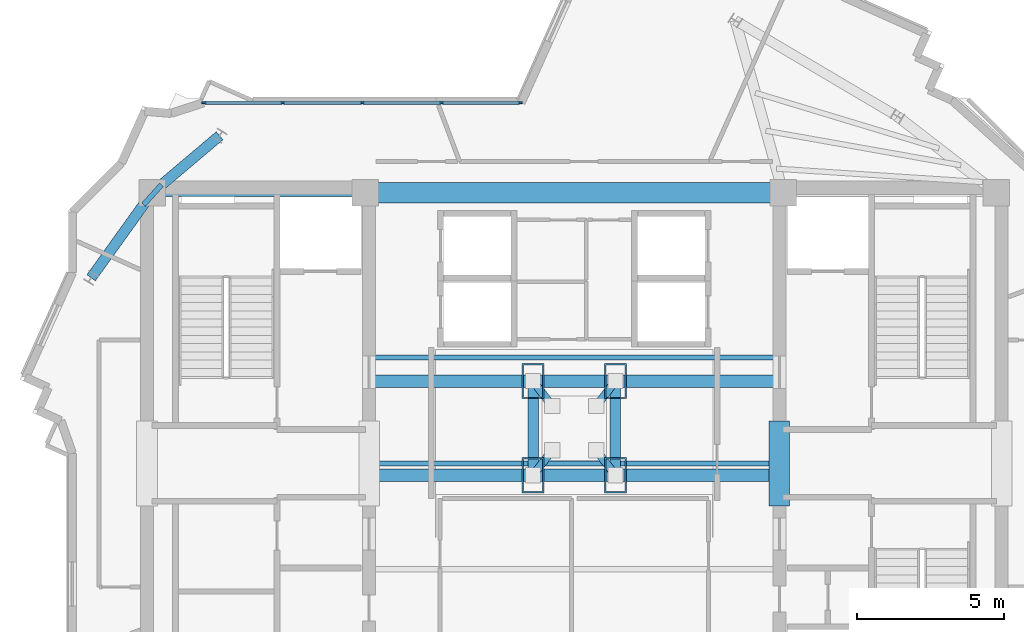
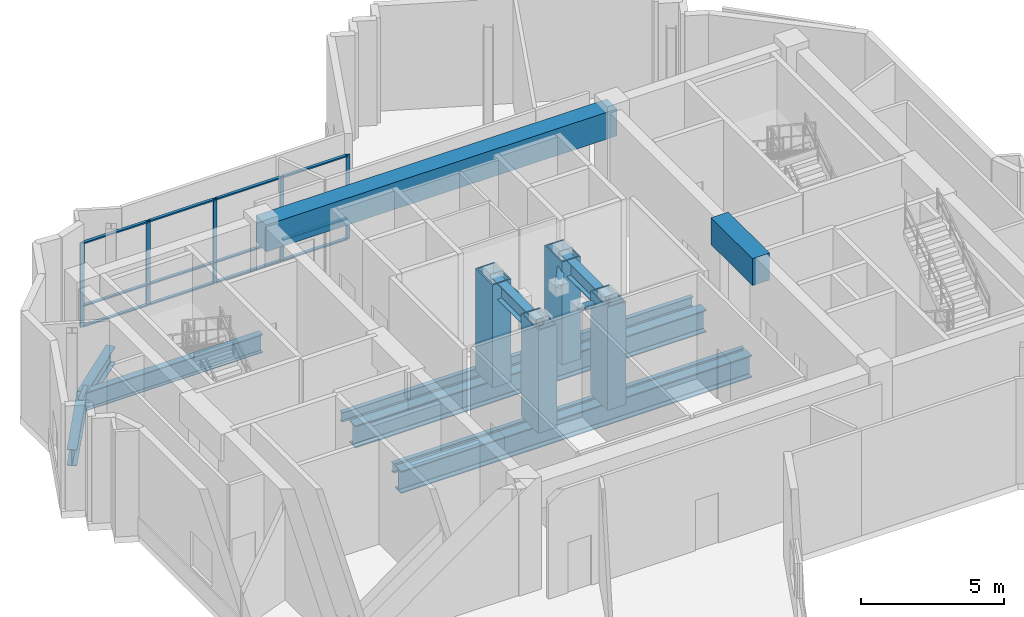
# One storey, part 3 of 11: 25 members, 12 beams, 1 element without a shape of its own.
"""IFC4 building model written with IfcOpenShell, lengths in metres."""

from ifc_helpers import new_model, si_unit, direction, frame, origin, origin_2d, place, context, subcontext, project, spatial, rectangle, hollow_rectangle, hollow_circle, i_section, extrude, source, transform, mapped, material, layer, layer_set, material_profile, profile_set, type_object, element, aggregate, save


model = new_model("IFC4")

# Units and contexts
model_context = context("Model", 3, precision=1e-05, world=origin(), true_north=direction((0.0, 1.0)))
body_context = subcontext(model_context, "Body", "Model", "MODEL_VIEW")
ifc_project = project(units=[si_unit("LENGTHUNIT", "METRE"), si_unit("AREAUNIT", "SQUARE_METRE"), si_unit("VOLUMEUNIT", "CUBIC_METRE"), si_unit("PLANEANGLEUNIT", "RADIAN"), si_unit("MASSUNIT", "GRAM", prefix="KILO")], contexts=[model_context])

# Site, building, storey
site_placement = place(None, origin())
site = spatial("IfcSite", under=ifc_project, at=site_placement, CompositionType="ELEMENT")
building_placement = place(site_placement, origin())
building = spatial("IfcBuilding", under=site, at=building_placement, Name="Zahravan Cultural Tower", CompositionType="ELEMENT")
storey_placement = place(building_placement, frame((0.0, 0.0, 361.050048828125)))
storey = spatial("IfcBuildingStorey", under=building, at=storey_placement, Name="L88", CompositionType="ELEMENT", Elevation=361.050048828125)

# Beams
ifc_material_1 = material(Name="Concrete C50/60", Category="concrete")
ifc_material_profile_1 = material_profile(ifc_material_1, rectangle(XDim=0.699951171875, YDim=1.14990234375, at=origin_2d()), Name="RC700X1150")
ifc_profile_set_1 = profile_set([ifc_material_profile_1], Name="Concrete C50/60")
beam_type_1 = type_object("IfcBeamType", Name="BM-LN-RC700X1150", PredefinedType="LINTEL", material=ifc_profile_set_1)
shared_shape_1 = source(origin(), body_context, "Body", "SweptSolid", [
    extrude(rectangle(XDim=0.699951171875, YDim=1.14990234375, at=origin_2d()), origin(), (0.0, 0.0, 1.0), 14.2001953125),
])
beam_1_placement = place(storey_placement, frame((28.89990234375, 36.199951171875, 3.925048828125), z_axis=(1.0, 0.0, 0.0), x_axis=(0.0, 1.0, 0.0)))
element("IfcBeam", 1, at=beam_1_placement, inside=storey, type_object=beam_type_1, Name="L88 Beam LN-L88-N", PredefinedType="LINTEL", context=body_context, shape_type="MappedRepresentation", body=[
    mapped(shared_shape_1, transform((0.0, 0.0, 0.0), x_axis=(1.0, 0.0, 0.0), y_axis=(0.0, 1.0, 0.0), z_axis=(0.0, 0.0, 1.0), scale=1.0)),
])
shared_shape_2 = source(origin(), body_context, "Body", "SweptSolid", [
    extrude(rectangle(XDim=0.699951171875, YDim=1.14990234375, at=origin_2d()), origin(), (0.0, 0.0, 1.0), 2.89990234375),
])
beam_2_placement = place(storey_placement, frame((42.97509765625, 25.550048828125, 3.925048828125), z_axis=(0.0, 1.0, 0.0), x_axis=(-1.0, 0.0, 0.0)))
element("IfcBeam", 2, at=beam_2_placement, inside=storey, type_object=beam_type_1, Name="L88 Beam LN-L88-PEW", PredefinedType="LINTEL", context=body_context, shape_type="MappedRepresentation", body=[
    mapped(shared_shape_2, transform((0.0, 0.0, 0.0), x_axis=(1.0, 0.0, 0.0), y_axis=(0.0, 1.0, 0.0), z_axis=(0.0, 0.0, 1.0), scale=1.0)),
])
ifc_material_2 = material(Name="Steel ASTM A992 Grade 50", Category="steel")
ifc_material_profile_2 = material_profile(ifc_material_2, i_section(OverallWidth=0.26611328125, OverallDepth=0.780029296875, WebThickness=0.0166015625, FlangeThickness=0.030029296875, FilletRadius=0.01904296875, at=origin_2d()), Name="W30X148")
ifc_profile_set_2 = profile_set([ifc_material_profile_2], Name="Steel ASTM A992 Grade 50")
beam_type_2 = type_object("IfcBeamType", Name="BM-G-W30X148", PredefinedType="BEAM", material=ifc_profile_set_2)
shared_shape_3 = source(origin(), body_context, "Body", "SweptSolid", [
    extrude(i_section(OverallWidth=0.26611328125, OverallDepth=0.780029296875, WebThickness=0.0166015625, FlangeThickness=0.030029296875, FilletRadius=0.01904296875, at=origin_2d()), origin(), (0.0, 0.0, 1.0), 7.25),
])
beam_3_placement = place(storey_placement, frame((21.64990234375, 36.199951171875, -0.68994140625), z_axis=(1.0, 0.0, 0.0), x_axis=(0.0, 1.0, 0.0)))
element("IfcBeam", 3, at=beam_3_placement, inside=storey, type_object=beam_type_2, Name="L88 Beam BG-L88-02", PredefinedType="BEAM", context=body_context, shape_type="MappedRepresentation", body=[
    mapped(shared_shape_3, transform((0.0, 0.0, 0.0), x_axis=(1.0, 0.0, 0.0), y_axis=(0.0, 1.0, 0.0), z_axis=(0.0, 0.0, 1.0), scale=1.0)),
])
ifc_material_profile_3 = material_profile(ifc_material_2, i_section(OverallWidth=0.35498046875, OverallDepth=0.696044921875, WebThickness=0.015380859375, FlangeThickness=0.025146484375, FilletRadius=0.01806640625, at=origin_2d()), Name="W27X146")
ifc_profile_set_3 = profile_set([ifc_material_profile_3], Name="Steel ASTM A992 Grade 50")
beam_type_3 = type_object("IfcBeamType", Name="BM-G-W27X146", PredefinedType="BEAM", material=ifc_profile_set_3)
shared_shape_4 = source(origin(), body_context, "Body", "SweptSolid", [
    extrude(i_section(OverallWidth=0.35498046875, OverallDepth=0.696044921875, WebThickness=0.015380859375, FlangeThickness=0.025146484375, FilletRadius=0.01806640625, at=origin_2d()), origin(), (0.0, 0.0, 1.0), 3.00537109375),
])
beam_4_placement = place(storey_placement, frame((21.64990234375, 36.199951171875, -0.64794921875), z_axis=(0.763546494847, 0.645752855361, 0.0), x_axis=(-0.645752855361, 0.763546494847, 0.0)))
element("IfcBeam", 4, at=beam_4_placement, inside=storey, type_object=beam_type_3, Name="L88 Beam BG-L88-13", PredefinedType="BEAM", context=body_context, shape_type="MappedRepresentation", body=[
    mapped(shared_shape_4, transform((0.0, 0.0, 0.0), x_axis=(1.0, 0.0, 0.0), y_axis=(0.0, 1.0, 0.0), z_axis=(0.0, 0.0, 1.0), scale=1.0)),
])
shared_shape_5 = source(origin(), body_context, "Body", "SweptSolid", [
    extrude(i_section(OverallWidth=0.35498046875, OverallDepth=0.696044921875, WebThickness=0.015380859375, FlangeThickness=0.025146484375, FilletRadius=0.01806640625, at=origin_2d()), origin(), (0.0, 0.0, 1.0), 3.5556640625),
])
beam_5_placement = place(storey_placement, frame((21.64990234375, 36.199951171875, -0.64794921875), z_axis=(-0.58288028137, -0.812558045674, 0.0), x_axis=(0.812558045674, -0.58288028137, 0.0)))
element("IfcBeam", 5, at=beam_5_placement, inside=storey, type_object=beam_type_3, Name="L88 Beam BG-L88-14", PredefinedType="BEAM", context=body_context, shape_type="MappedRepresentation", body=[
    mapped(shared_shape_5, transform((0.0, 0.0, 0.0), x_axis=(1.0, 0.0, 0.0), y_axis=(0.0, 1.0, 0.0), z_axis=(0.0, 0.0, 1.0), scale=1.0)),
])
ifc_material_profile_4 = material_profile(ifc_material_2, i_section(OverallWidth=0.177978515625, OverallDepth=0.406005859375, WebThickness=0.0078125, FlangeThickness=0.0126953125, FilletRadius=0.011962890625, at=origin_2d()), Name="W16X40")
ifc_profile_set_4 = profile_set([ifc_material_profile_4], Name="Steel ASTM A992 Grade 50")
beam_type_4 = type_object("IfcBeamType", Name="BM-J-W16X40", PredefinedType="JOIST", material=ifc_profile_set_4)
shared_shape_6 = source(origin(), body_context, "Body", "SweptSolid", [
    extrude(i_section(OverallWidth=0.177978515625, OverallDepth=0.406005859375, WebThickness=0.0078125, FlangeThickness=0.0126953125, FilletRadius=0.011962890625, at=origin_2d()), origin(), (0.0, 0.0, 1.0), 14.2001953125),
])
for number, where, z_axis, x_axis, name in (
    (6, (28.89990234375, 27.0, -0.5029296875), (1.0, 0.0, 0.0), (0.0, 1.0, 0.0), "L88 Beam BJ-L88-22"),
    (7, (28.89990234375, 30.60009765625, -0.5029296875), (1.0, 0.0, 0.0), (0.0, 1.0, 0.0), "L88 Beam BJ-L88-23"),
):
    element("IfcBeam", number, at=place(storey_placement, frame(where, z_axis=z_axis, x_axis=x_axis)), inside=storey, type_object=beam_type_4, Name=name, PredefinedType="JOIST", context=body_context, shape_type="MappedRepresentation", body=[
        mapped(shared_shape_6, transform((0.0, 0.0, 0.0), x_axis=(1.0, 0.0, 0.0), y_axis=(0.0, 1.0, 0.0), z_axis=(0.0, 0.0, 1.0), scale=1.0)),
    ])
shared_shape_7 = source(origin(), body_context, "Body", "SweptSolid", [
    extrude(i_section(OverallWidth=0.177978515625, OverallDepth=0.406005859375, WebThickness=0.0078125, FlangeThickness=0.0126953125, FilletRadius=0.011962890625, at=origin_2d()), origin(), (0.0, 0.0, 1.0), 0.91162109375),
])
beam_6_placement = place(storey_placement, frame((21.97119140625, 36.4716796875, -0.5029296875), z_axis=(-0.670590689022, -0.741827559341, 0.0), x_axis=(0.741827559341, -0.670590689022, 0.0)))
element("IfcBeam", 8, at=beam_6_placement, inside=storey, type_object=beam_type_4, Name="L88 Beam BJ-L88-48", PredefinedType="JOIST", context=body_context, shape_type="MappedRepresentation", body=[
    mapped(shared_shape_7, transform((0.0, 0.0, 0.0), x_axis=(1.0, 0.0, 0.0), y_axis=(0.0, 1.0, 0.0), z_axis=(0.0, 0.0, 1.0), scale=1.0)),
])
ifc_material_profile_5 = material_profile(ifc_material_2, i_section(OverallWidth=0.423095703125, OverallDepth=0.947998046875, WebThickness=0.02392578125, FlangeThickness=0.042724609375, FilletRadius=0.02392578125, at=origin_2d()), Name="W36X302")
ifc_profile_set_5 = profile_set([ifc_material_profile_5], Name="Steel ASTM A992 Grade 50")
beam_type_5 = type_object("IfcBeamType", Name="BM-G-W36X302", PredefinedType="BEAM", material=ifc_profile_set_5)
shared_shape_8 = source(origin(), body_context, "Body", "SweptSolid", [
    extrude(i_section(OverallWidth=0.423095703125, OverallDepth=0.947998046875, WebThickness=0.02392578125, FlangeThickness=0.042724609375, FilletRadius=0.02392578125, at=origin_2d()), origin(), (0.0, 0.0, 1.0), 14.2001953125),
])
for number, where, z_axis, x_axis, name in (
    (9, (28.89990234375, 26.60009765625, -0.774169921875), (1.0, 0.0, 0.0), (0.0, 1.0, 0.0), "L88 Beam TMD-SUP-1"),
    (10, (28.89990234375, 29.800048828125, -0.774169921875), (1.0, 0.0, 0.0), (0.0, 1.0, 0.0), "L88 Beam TMD-SUP-2"),
):
    element("IfcBeam", number, at=place(storey_placement, frame(where, z_axis=z_axis, x_axis=x_axis)), inside=storey, type_object=beam_type_5, Name=name, PredefinedType="BEAM", context=body_context, shape_type="MappedRepresentation", body=[
        mapped(shared_shape_8, transform((0.0, 0.0, 0.0), x_axis=(1.0, 0.0, 0.0), y_axis=(0.0, 1.0, 0.0), z_axis=(0.0, 0.0, 1.0), scale=1.0)),
    ])

# Members
ifc_material_3 = material(Name="Steel ASTM A572 Grade 50", Category="steel")
ifc_material_profile_6 = material_profile(ifc_material_3, hollow_rectangle(XDim=0.75, YDim=1.199951171875, WallThickness=0.050048828125, at=origin_2d()), Name="BOX1200X750X50")
ifc_profile_set_6 = profile_set([ifc_material_profile_6], Name="Steel ASTM A572 Grade 50")
member_type_1 = type_object("IfcMemberType", Name="MB-CH-BOX1200", PredefinedType="CHORD", material=ifc_profile_set_6)
shared_shape_9 = source(origin(), body_context, "Body", "SweptSolid", [
    extrude(hollow_rectangle(XDim=0.75, YDim=1.199951171875, WallThickness=0.050048828125, at=origin_2d()), origin(), (0.0, 0.0, 1.0), 4.39990234375),
])
for number, where, z_axis, x_axis, name in (
    (11, (34.60009765625, 26.60009765625, -0.300048828125), (0.0, 0.0, 1.0), (1.0, 0.0, 0.0), "L88 Tuned Mass Damper Portal Post 1"),
    (12, (37.39990234375, 26.60009765625, -0.300048828125), (0.0, 0.0, 1.0), (1.0, 0.0, 0.0), "L88 Tuned Mass Damper Portal Post 2"),
    (13, (37.39990234375, 29.800048828125, -0.300048828125), (0.0, 0.0, 1.0), (1.0, 0.0, 0.0), "L88 Tuned Mass Damper Portal Post 3"),
    (14, (34.60009765625, 29.800048828125, -0.300048828125), (0.0, 0.0, 1.0), (1.0, 0.0, 0.0), "L88 Tuned Mass Damper Portal Post 4"),
):
    element("IfcMember", number, at=place(storey_placement, frame(where, z_axis=z_axis, x_axis=x_axis)), inside=storey, type_object=member_type_1, Name=name, PredefinedType="CHORD", context=body_context, shape_type="MappedRepresentation", body=[
        mapped(shared_shape_9, transform((0.0, 0.0, 0.0), x_axis=(1.0, 0.0, 0.0), y_axis=(0.0, 1.0, 0.0), z_axis=(0.0, 0.0, 1.0), scale=1.0)),
    ])

# Beams
shared_shape_10 = source(origin(), body_context, "Body", "SweptSolid", [
    extrude(i_section(OverallWidth=0.35498046875, OverallDepth=0.696044921875, WebThickness=0.015380859375, FlangeThickness=0.025146484375, FilletRadius=0.01806640625, at=origin_2d()), origin(), (0.0, 0.0, 1.0), 3.199951171875),
])
for number, where, z_axis, x_axis, name in (
    (15, (37.39990234375, 26.60009765625, 3.751953125), (0.0, 1.0, 0.0), (-1.0, 0.0, 0.0), "L88 Beam TMD-RING-2"),
    (16, (34.60009765625, 29.800048828125, 3.751953125), (0.0, -1.0, 0.0), (1.0, 0.0, 0.0), "L88 Beam TMD-RING-4"),
):
    element("IfcBeam", number, at=place(storey_placement, frame(where, z_axis=z_axis, x_axis=x_axis)), inside=storey, type_object=beam_type_3, Name=name, PredefinedType="BEAM", context=body_context, shape_type="MappedRepresentation", body=[
        mapped(shared_shape_10, transform((0.0, 0.0, 0.0), x_axis=(1.0, 0.0, 0.0), y_axis=(0.0, 1.0, 0.0), z_axis=(0.0, 0.0, 1.0), scale=1.0)),
    ])

# Members
ifc_material_profile_7 = material_profile(ifc_material_3, hollow_circle(Radius=0.136474609375, WallThickness=0.011962890625, at=origin_2d()), Name="CHS273X12")
ifc_profile_set_7 = profile_set([ifc_material_profile_7], Name="Steel ASTM A572 Grade 50")
member_type_2 = type_object("IfcMemberType", Name="MB-BR-CHS273", PredefinedType="BRACE", material=ifc_profile_set_7)
shared_shape_11 = source(origin(), body_context, "Body", "SweptSolid", [
    extrude(hollow_circle(Radius=0.136474609375, WallThickness=0.011962890625, at=origin_2d()), origin(), (0.0, 0.0, 1.0), 1.241455078125),
])
for number, where, z_axis, x_axis, name in (
    (17, (34.60009765625, 26.60009765625, 3.949951171875), (0.523472352234, 0.68452564167, -0.507347358664), (-0.794351355744, 0.607458577705, 0.0), "L88 Tuned Mass Damper Hanger Rod 1"),
    (18, (37.39990234375, 26.60009765625, 3.949951171875), (-0.523472352234, 0.68452564167, -0.507347358664), (-0.794351355744, -0.607458577705, 0.0), "L88 Tuned Mass Damper Hanger Rod 2"),
):
    element("IfcMember", number, at=place(storey_placement, frame(where, z_axis=z_axis, x_axis=x_axis)), inside=storey, type_object=member_type_2, Name=name, PredefinedType="BRACE", context=body_context, shape_type="MappedRepresentation", body=[
        mapped(shared_shape_11, transform((0.0, 0.0, 0.0), x_axis=(1.0, 0.0, 0.0), y_axis=(0.0, 1.0, 0.0), z_axis=(0.0, 0.0, 1.0), scale=1.0)),
    ])
shared_shape_12 = source(origin(), body_context, "Body", "SweptSolid", [
    extrude(hollow_circle(Radius=0.136474609375, WallThickness=0.011962890625, at=origin_2d()), origin(), (0.0, 0.0, 1.0), 1.24169921875),
])
for number, where, z_axis, x_axis, name in (
    (19, (37.39990234375, 29.800048828125, 3.949951171875), (-0.523401892037, -0.684630123243, -0.507279068916), (0.794435538643, -0.607348478997, 0.0), "L88 Tuned Mass Damper Hanger Rod 3"),
    (20, (34.60009765625, 29.800048828125, 3.949951171875), (0.523401892037, -0.684630123243, -0.507279068916), (0.794435538643, 0.607348478997, 0.0), "L88 Tuned Mass Damper Hanger Rod 4"),
):
    element("IfcMember", number, at=place(storey_placement, frame(where, z_axis=z_axis, x_axis=x_axis)), inside=storey, type_object=member_type_2, Name=name, PredefinedType="BRACE", context=body_context, shape_type="MappedRepresentation", body=[
        mapped(shared_shape_12, transform((0.0, 0.0, 0.0), x_axis=(1.0, 0.0, 0.0), y_axis=(0.0, 1.0, 0.0), z_axis=(0.0, 0.0, 1.0), scale=1.0)),
    ])

# Curtain wall, members
ifc_material_4 = material(Name="Anodised bronze-aluminium mullion", Category="aluminium")
ifc_layer = layer(ifc_material_4, 0.14990234375)
ifc_layer_set = layer_set([ifc_layer], Name="Anodised bronze-aluminium mullion")
curtain_wall_type = type_object("IfcCurtainWallType", Name="CW-SYS-6", PredefinedType="USERDEFINED", material=ifc_layer_set)
curtain_wall_placement = place(storey_placement, origin())
curtain_wall = element("IfcCurtainWall", 21, at=curtain_wall_placement, inside=storey, type_object=curtain_wall_type, Name="L88 Recessed Curtain Wall CW-6.1", ObjectType="OBSERVATORY LANTERN", PredefinedType="USERDEFINED")
ifc_material_profile_8 = material_profile(ifc_material_4, rectangle(XDim=0.06005859375, YDim=0.14990234375, at=origin_2d()), Name="AL-M60X150")
ifc_profile_set_8 = profile_set([ifc_material_profile_8], Name="Anodised bronze-aluminium mullion")
member_type_3 = type_object("IfcMemberType", Name="CWM-CW-6", PredefinedType="MULLION", material=ifc_profile_set_8)
shared_shape_13 = source(origin(), body_context, "Body", "SweptSolid", [
    extrude(rectangle(XDim=0.06005859375, YDim=0.14990234375, at=origin_2d()), origin(), (0.0, 0.0, 1.0), 3.619873046875),
])
member_1_placement = place(storey_placement, frame((23.420654296875, 39.260009765625, 0.0), z_axis=(0.0, 0.0, 1.0), x_axis=(0.0, 1.0, 0.0)))
member_1 = element("IfcMember", 22, at=member_1_placement, type_object=member_type_3, Name="CW-6 mullion 1", PredefinedType="MULLION", context=body_context, shape_type="MappedRepresentation", body=[
    mapped(shared_shape_13, transform((0.0, 0.0, 0.0), x_axis=(1.0, 0.0, 0.0), y_axis=(0.0, 1.0, 0.0), z_axis=(0.0, 0.0, 1.0), scale=1.0)),
])
member_2_placement = place(storey_placement, frame((26.091796875, 39.260009765625, 0.0), z_axis=(0.0, 0.0, 1.0), x_axis=(0.0, 1.0, 0.0)))
member_2 = element("IfcMember", 23, at=member_2_placement, type_object=member_type_3, Name="CW-6 mullion 2", PredefinedType="MULLION", context=body_context, shape_type="MappedRepresentation", body=[
    mapped(shared_shape_13, transform((0.0, 0.0, 0.0), x_axis=(1.0, 0.0, 0.0), y_axis=(0.0, 1.0, 0.0), z_axis=(0.0, 0.0, 1.0), scale=1.0)),
])
member_3_placement = place(storey_placement, frame((28.792724609375, 39.260009765625, 0.0), z_axis=(0.0, 0.0, 1.0), x_axis=(0.0, 1.0, 0.0)))
member_3 = element("IfcMember", 24, at=member_3_placement, type_object=member_type_3, Name="CW-6 mullion 3", PredefinedType="MULLION", context=body_context, shape_type="MappedRepresentation", body=[
    mapped(shared_shape_13, transform((0.0, 0.0, 0.0), x_axis=(1.0, 0.0, 0.0), y_axis=(0.0, 1.0, 0.0), z_axis=(0.0, 0.0, 1.0), scale=1.0)),
])
member_4_placement = place(storey_placement, frame((31.493896484375, 39.260009765625, 0.0), z_axis=(0.0, 0.0, 1.0), x_axis=(0.0, 1.0, 0.0)))
member_4 = element("IfcMember", 25, at=member_4_placement, type_object=member_type_3, Name="CW-6 mullion 4", PredefinedType="MULLION", context=body_context, shape_type="MappedRepresentation", body=[
    mapped(shared_shape_13, transform((0.0, 0.0, 0.0), x_axis=(1.0, 0.0, 0.0), y_axis=(0.0, 1.0, 0.0), z_axis=(0.0, 0.0, 1.0), scale=1.0)),
])
member_5_placement = place(storey_placement, frame((34.164794921875, 39.260009765625, 0.0), z_axis=(0.0, 0.0, 1.0), x_axis=(0.0, 1.0, 0.0)))
member_5 = element("IfcMember", 26, at=member_5_placement, type_object=member_type_3, Name="CW-6 mullion 5", PredefinedType="MULLION", context=body_context, shape_type="MappedRepresentation", body=[
    mapped(shared_shape_13, transform((0.0, 0.0, 0.0), x_axis=(1.0, 0.0, 0.0), y_axis=(0.0, 1.0, 0.0), z_axis=(0.0, 0.0, 1.0), scale=1.0)),
])
ifc_material_profile_9 = material_profile(ifc_material_4, rectangle(XDim=0.1201171875, YDim=0.06005859375, at=origin_2d()), Name="AL-T60X120")
ifc_profile_set_9 = profile_set([ifc_material_profile_9], Name="Anodised bronze-aluminium mullion")
member_type_4 = type_object("IfcMemberType", Name="CWT-CW-6", PredefinedType="USERDEFINED", material=ifc_profile_set_9)
shared_shape_14 = source(origin(), body_context, "Body", "SweptSolid", [
    extrude(rectangle(XDim=0.1201171875, YDim=0.06005859375, at=origin_2d()), origin(), (0.0, 0.0, 1.0), 2.611083984375),
])
member_6_placement = place(storey_placement, frame((23.45068359375, 39.260009765625, 0.030029296875), z_axis=(1.0, 0.0, 0.0), x_axis=(0.0, 1.0, 0.0)))
member_6 = element("IfcMember", 27, at=member_6_placement, type_object=member_type_4, Name="CW-6 transom 1.1", ObjectType="TRANSOM", PredefinedType="USERDEFINED", context=body_context, shape_type="MappedRepresentation", body=[
    mapped(shared_shape_14, transform((0.0, 0.0, 0.0), x_axis=(1.0, 0.0, 0.0), y_axis=(0.0, 1.0, 0.0), z_axis=(0.0, 0.0, 1.0), scale=1.0)),
])
member_7_placement = place(storey_placement, frame((23.45068359375, 39.260009765625, 0.89990234375), z_axis=(1.0, 0.0, 0.0), x_axis=(0.0, 1.0, 0.0)))
member_7 = element("IfcMember", 28, at=member_7_placement, type_object=member_type_4, Name="CW-6 transom 1.2", ObjectType="TRANSOM", PredefinedType="USERDEFINED", context=body_context, shape_type="MappedRepresentation", body=[
    mapped(shared_shape_14, transform((0.0, 0.0, 0.0), x_axis=(1.0, 0.0, 0.0), y_axis=(0.0, 1.0, 0.0), z_axis=(0.0, 0.0, 1.0), scale=1.0)),
])
member_8_placement = place(storey_placement, frame((23.45068359375, 39.260009765625, 3.58984375), z_axis=(1.0, 0.0, 0.0), x_axis=(0.0, 1.0, 0.0)))
member_8 = element("IfcMember", 29, at=member_8_placement, type_object=member_type_4, Name="CW-6 transom 1.3", ObjectType="TRANSOM", PredefinedType="USERDEFINED", context=body_context, shape_type="MappedRepresentation", body=[
    mapped(shared_shape_14, transform((0.0, 0.0, 0.0), x_axis=(1.0, 0.0, 0.0), y_axis=(0.0, 1.0, 0.0), z_axis=(0.0, 0.0, 1.0), scale=1.0)),
])
member_9_placement = place(storey_placement, frame((31.52392578125, 39.260009765625, 0.030029296875), z_axis=(1.0, 0.0, 0.0), x_axis=(0.0, 1.0, 0.0)))
member_9 = element("IfcMember", 30, at=member_9_placement, type_object=member_type_4, Name="CW-6 transom 4.1", ObjectType="TRANSOM", PredefinedType="USERDEFINED", context=body_context, shape_type="MappedRepresentation", body=[
    mapped(shared_shape_14, transform((0.0, 0.0, 0.0), x_axis=(1.0, 0.0, 0.0), y_axis=(0.0, 1.0, 0.0), z_axis=(0.0, 0.0, 1.0), scale=1.0)),
])
member_10_placement = place(storey_placement, frame((31.52392578125, 39.260009765625, 0.89990234375), z_axis=(1.0, 0.0, 0.0), x_axis=(0.0, 1.0, 0.0)))
member_10 = element("IfcMember", 31, at=member_10_placement, type_object=member_type_4, Name="CW-6 transom 4.2", ObjectType="TRANSOM", PredefinedType="USERDEFINED", context=body_context, shape_type="MappedRepresentation", body=[
    mapped(shared_shape_14, transform((0.0, 0.0, 0.0), x_axis=(1.0, 0.0, 0.0), y_axis=(0.0, 1.0, 0.0), z_axis=(0.0, 0.0, 1.0), scale=1.0)),
])
member_11_placement = place(storey_placement, frame((31.52392578125, 39.260009765625, 3.58984375), z_axis=(1.0, 0.0, 0.0), x_axis=(0.0, 1.0, 0.0)))
member_11 = element("IfcMember", 32, at=member_11_placement, type_object=member_type_4, Name="CW-6 transom 4.3", ObjectType="TRANSOM", PredefinedType="USERDEFINED", context=body_context, shape_type="MappedRepresentation", body=[
    mapped(shared_shape_14, transform((0.0, 0.0, 0.0), x_axis=(1.0, 0.0, 0.0), y_axis=(0.0, 1.0, 0.0), z_axis=(0.0, 0.0, 1.0), scale=1.0)),
])
shared_shape_15 = source(origin(), body_context, "Body", "SweptSolid", [
    extrude(rectangle(XDim=0.1201171875, YDim=0.06005859375, at=origin_2d()), origin(), (0.0, 0.0, 1.0), 2.64111328125),
])
member_12_placement = place(storey_placement, frame((26.12158203125, 39.260009765625, 0.030029296875), z_axis=(1.0, 0.0, 0.0), x_axis=(0.0, 1.0, 0.0)))
member_12 = element("IfcMember", 33, at=member_12_placement, type_object=member_type_4, Name="CW-6 transom 2.1", ObjectType="TRANSOM", PredefinedType="USERDEFINED", context=body_context, shape_type="MappedRepresentation", body=[
    mapped(shared_shape_15, transform((0.0, 0.0, 0.0), x_axis=(1.0, 0.0, 0.0), y_axis=(0.0, 1.0, 0.0), z_axis=(0.0, 0.0, 1.0), scale=1.0)),
])
member_13_placement = place(storey_placement, frame((26.12158203125, 39.260009765625, 0.89990234375), z_axis=(1.0, 0.0, 0.0), x_axis=(0.0, 1.0, 0.0)))
member_13 = element("IfcMember", 34, at=member_13_placement, type_object=member_type_4, Name="CW-6 transom 2.2", ObjectType="TRANSOM", PredefinedType="USERDEFINED", context=body_context, shape_type="MappedRepresentation", body=[
    mapped(shared_shape_15, transform((0.0, 0.0, 0.0), x_axis=(1.0, 0.0, 0.0), y_axis=(0.0, 1.0, 0.0), z_axis=(0.0, 0.0, 1.0), scale=1.0)),
])
member_14_placement = place(storey_placement, frame((26.12158203125, 39.260009765625, 3.58984375), z_axis=(1.0, 0.0, 0.0), x_axis=(0.0, 1.0, 0.0)))
member_14 = element("IfcMember", 35, at=member_14_placement, type_object=member_type_4, Name="CW-6 transom 2.3", ObjectType="TRANSOM", PredefinedType="USERDEFINED", context=body_context, shape_type="MappedRepresentation", body=[
    mapped(shared_shape_15, transform((0.0, 0.0, 0.0), x_axis=(1.0, 0.0, 0.0), y_axis=(0.0, 1.0, 0.0), z_axis=(0.0, 0.0, 1.0), scale=1.0)),
])
member_15_placement = place(storey_placement, frame((28.82275390625, 39.260009765625, 0.030029296875), z_axis=(1.0, 0.0, 0.0), x_axis=(0.0, 1.0, 0.0)))
member_15 = element("IfcMember", 36, at=member_15_placement, type_object=member_type_4, Name="CW-6 transom 3.1", ObjectType="TRANSOM", PredefinedType="USERDEFINED", context=body_context, shape_type="MappedRepresentation", body=[
    mapped(shared_shape_15, transform((0.0, 0.0, 0.0), x_axis=(1.0, 0.0, 0.0), y_axis=(0.0, 1.0, 0.0), z_axis=(0.0, 0.0, 1.0), scale=1.0)),
])
member_16_placement = place(storey_placement, frame((28.82275390625, 39.260009765625, 0.89990234375), z_axis=(1.0, 0.0, 0.0), x_axis=(0.0, 1.0, 0.0)))
member_16 = element("IfcMember", 37, at=member_16_placement, type_object=member_type_4, Name="CW-6 transom 3.2", ObjectType="TRANSOM", PredefinedType="USERDEFINED", context=body_context, shape_type="MappedRepresentation", body=[
    mapped(shared_shape_15, transform((0.0, 0.0, 0.0), x_axis=(1.0, 0.0, 0.0), y_axis=(0.0, 1.0, 0.0), z_axis=(0.0, 0.0, 1.0), scale=1.0)),
])
member_17_placement = place(storey_placement, frame((28.82275390625, 39.260009765625, 3.58984375), z_axis=(1.0, 0.0, 0.0), x_axis=(0.0, 1.0, 0.0)))
member_17 = element("IfcMember", 38, at=member_17_placement, type_object=member_type_4, Name="CW-6 transom 3.3", ObjectType="TRANSOM", PredefinedType="USERDEFINED", context=body_context, shape_type="MappedRepresentation", body=[
    mapped(shared_shape_15, transform((0.0, 0.0, 0.0), x_axis=(1.0, 0.0, 0.0), y_axis=(0.0, 1.0, 0.0), z_axis=(0.0, 0.0, 1.0), scale=1.0)),
])
aggregate(curtain_wall, [member_1, member_2, member_3, member_4, member_5, member_6, member_7, member_8, member_12, member_13, member_14, member_15, member_16, member_17, member_9, member_10, member_11])

save(model, "model.ifc")
